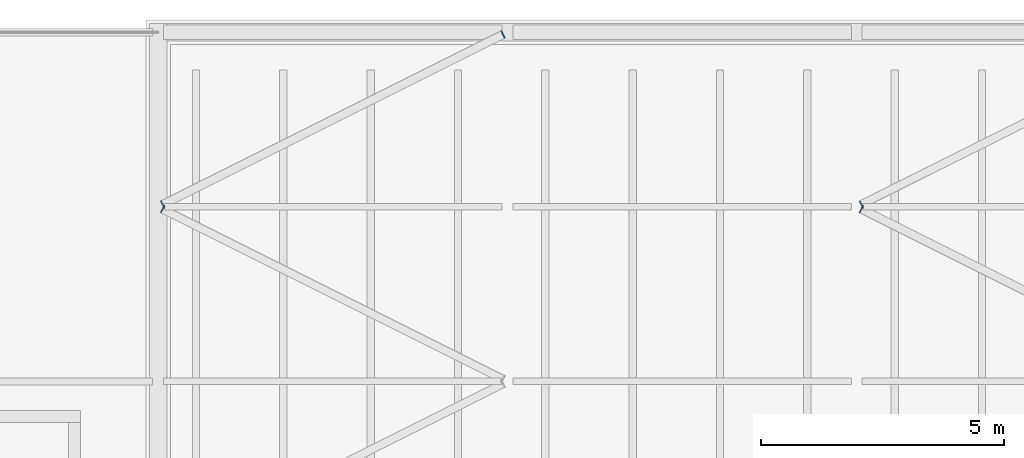
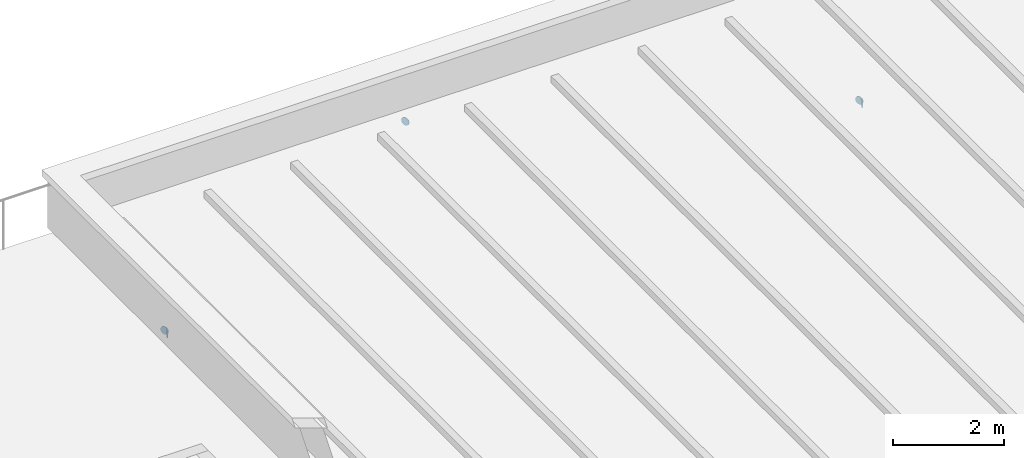
# One storey, part 73 of 110: 5 discrete accessories.
"""IFC4 building model written with IfcOpenShell, lengths in metres."""

from ifc_helpers import new_model, si_unit, direction, frame, origin, origin_2d, place, context, subcontext, project, spatial, circle, extrude, material, layer, layer_set, type_object, element, save


model = new_model("IFC4")

# Units and contexts
model_context = context("Model", 3, precision=1e-05, world=origin(), true_north=direction((0.0, 1.0)))
body_context = subcontext(model_context, "Body", "Model", "MODEL_VIEW")
ifc_project = project(units=[si_unit("LENGTHUNIT", "METRE"), si_unit("AREAUNIT", "SQUARE_METRE"), si_unit("VOLUMEUNIT", "CUBIC_METRE"), si_unit("PLANEANGLEUNIT", "RADIAN"), si_unit("MASSUNIT", "GRAM", prefix="KILO")], contexts=[model_context])

# Site, building, storey
site_placement = place(None, origin())
site = spatial("IfcSite", under=ifc_project, at=site_placement, CompositionType="ELEMENT")
building_placement = place(site_placement, origin())
building = spatial("IfcBuilding", under=site, at=building_placement, Name="Kupolbacken Congress Centre", CompositionType="ELEMENT")
storey_placement = place(building_placement, frame((0.0, 0.0, 18.0)))
storey = spatial("IfcBuildingStorey", under=building, at=storey_placement, Name="L05", CompositionType="ELEMENT", Elevation=18.0)

# Discrete accessories
ifc_material = material(Name="Steel S355", Category="steel")
ifc_layer = layer(ifc_material, 0.011962890625)
ifc_layer_set = layer_set([ifc_layer], Name="Steel S355")
discrete_accessory_type = type_object("IfcDiscreteAccessoryType", Name="EC2 tube end cap plate 168 dia x 12", PredefinedType="BRACKET", material=ifc_layer_set)
for number, where, z_axis, x_axis, name in (
    (1, (151.29833984375, 147.55078125, -0.084228515625), (-0.894427191, 0.4472135955, 0.0), (-0.4472135955, -0.894427191, 0.0), "End cap plate BR/RB/01-06 B"),
    (2, (151.29833984375, 147.649169921875, -0.084228515625), (-0.894427191, -0.4472135955, 0.0), (0.4472135955, -0.894427191, 0.0), "End cap plate BR/RB/01-07 A"),
    (3, (158.301513671875, 151.15087890625, -0.084228515625), (0.894427191, 0.4472135955, 0.0), (-0.4472135955, 0.894427191, 0.0), "End cap plate BR/RB/01-07 B"),
    (4, (165.698486328125, 147.55078125, -0.084228515625), (-0.894427191, 0.4472135955, 0.0), (-0.4472135955, -0.894427191, 0.0), "End cap plate BR/RB/03-06 B"),
    (5, (165.698486328125, 147.649169921875, -0.084228515625), (-0.894427191, -0.4472135955, 0.0), (0.4472135955, -0.894427191, 0.0), "End cap plate BR/RB/03-07 A"),
):
    element("IfcDiscreteAccessory", number, at=place(storey_placement, frame(where, z_axis=z_axis, x_axis=x_axis)), inside=storey, type_object=discrete_accessory_type, Name=name, PredefinedType="BRACKET", context=body_context, shape_type="SweptSolid", body=[
        extrude(circle(Radius=0.084228515625, at=origin_2d()), origin(), (0.0, 0.0, 1.0), 0.011962890625),
    ])

save(model, "model.ifc")
